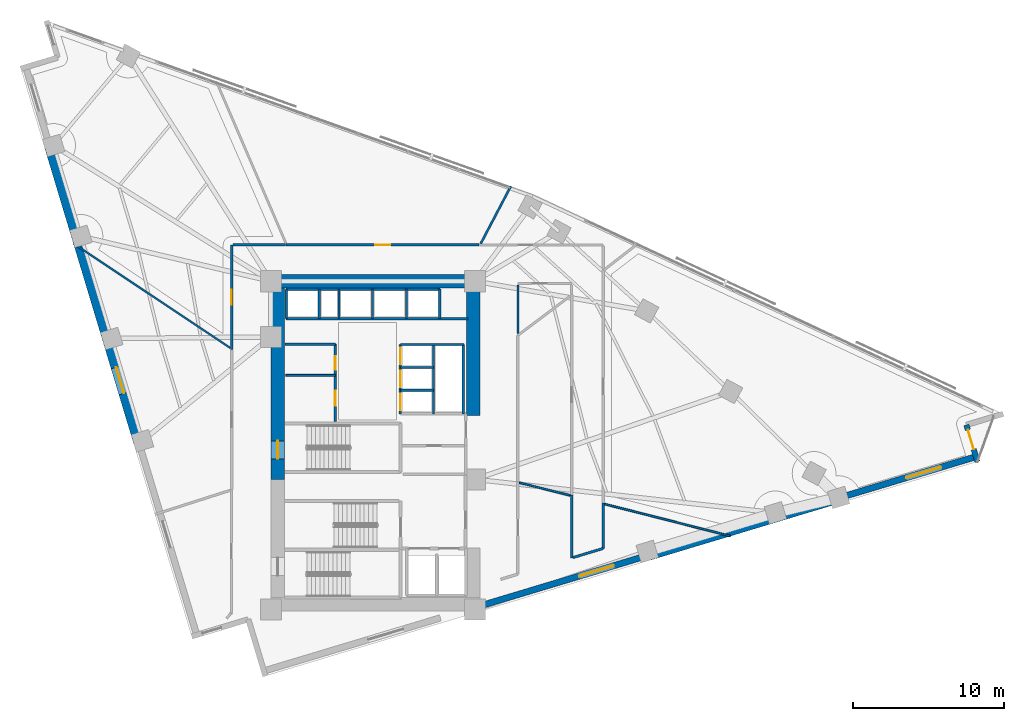
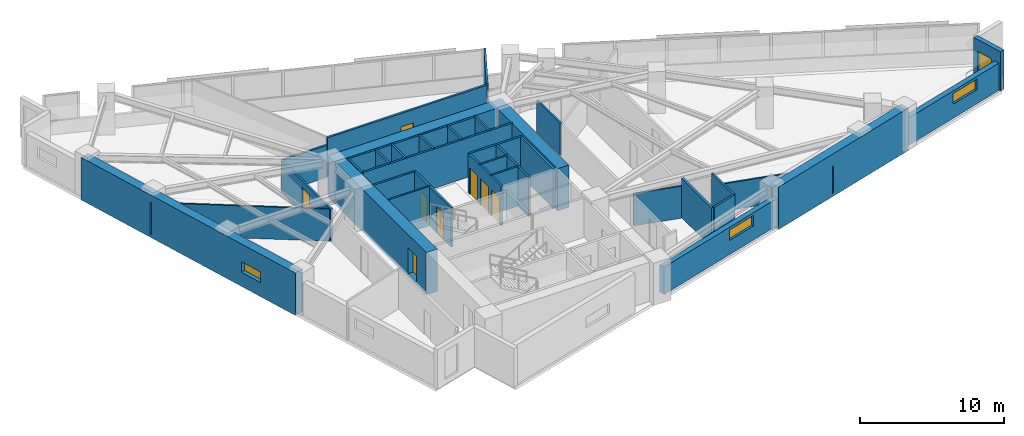
# One storey, part 11 of 14: 37 walls, 9 doors, 3 windows, 12 openings.
"""IFC4 building model written with IfcOpenShell, lengths in metres."""

from ifc_helpers import new_model, si_unit, direction, frame, frame_2d, origin, place, context, subcontext, project, spatial, rectangle, extrude, material, layer, layer_set, type_object, element, fill, save


model = new_model("IFC4")

# Units and contexts
model_context = context("Model", 3, precision=1e-05, world=origin(), true_north=direction((0.0, 1.0)))
body_context = subcontext(model_context, "Body", "Model", "MODEL_VIEW")
ifc_project = project(units=[si_unit("LENGTHUNIT", "METRE"), si_unit("AREAUNIT", "SQUARE_METRE"), si_unit("VOLUMEUNIT", "CUBIC_METRE"), si_unit("PLANEANGLEUNIT", "RADIAN"), si_unit("MASSUNIT", "GRAM", prefix="KILO")], contexts=[model_context])

# Site, building, storey
site_placement = place(None, origin())
site = spatial("IfcSite", under=ifc_project, at=site_placement, CompositionType="ELEMENT")
building_placement = place(site_placement, origin())
building = spatial("IfcBuilding", under=site, at=building_placement, Name="Narakoshi Arena Tower", CompositionType="ELEMENT")
storey_placement = place(building_placement, frame((0.0, 0.0, 135.89990234375)))
storey = spatial("IfcBuildingStorey", under=building, at=storey_placement, Name="L36", CompositionType="ELEMENT", Elevation=135.89990234375)

# Wall, opening, door
ifc_material_1 = material(Name="Concrete C60/75", Category="concrete")
ifc_layer_1 = layer(ifc_material_1, 0.89990234375)
ifc_layer_set_1 = layer_set([ifc_layer_1], Name="Concrete C60/75")
wall_type_1 = type_object("IfcWallType", Name="WL-CORE-900", PredefinedType="SHEAR", material=ifc_layer_set_1)
wall_1_placement = place(storey_placement, frame((72.449951171875, 43.35009765625, -0.260009765625), z_axis=(0.0, 0.0, 1.0), x_axis=(0.0, 1.0, 0.0)))
wall_1 = element("IfcWall", 1, at=wall_1_placement, inside=storey, type_object=wall_type_1, Name="L36 Main Core Shear Wall CW-MN-W", PredefinedType="SHEAR", context=body_context, shape_type="SweptSolid", body=[
    extrude(rectangle(XDim=12.699951171875, YDim=0.89990234375, at=frame_2d((6.35009765625, 0.0))), origin(), (0.0, 0.0, 1.0), 3.60009765625),
])
opening_1_placement = place(wall_1_placement, frame((1.35009765625, 0.0, 0.260009765625)))
opening_1 = element("IfcOpeningElement", 2, at=opening_1_placement, cuts=wall_1, Name="Opening D-03", PredefinedType="OPENING", context=body_context, shape_type="SweptSolid", body=[
    extrude(rectangle(XDim=1.199951171875, YDim=2.199951171875, at=frame_2d((0.60009765625, 1.10009765625))), frame((0.0, 0.4599609375, 0.0), z_axis=(0.0, -1.0, 0.0), x_axis=(1.0, 0.0, 0.0)), (0.0, 0.0, 1.0), 0.919921875),
])
ifc_material_2 = material(Name="Painted galvanized steel", Category="steel")
door_type_1 = type_object("IfcDoorType", Name="DR-STR-1200", OperationType="NOTDEFINED", PredefinedType="USERDEFINED", material=ifc_material_2)
door_1_placement = place(opening_1_placement, frame((1.199951171875, 0.0, 0.0), z_axis=(0.0, 0.0, 1.0), x_axis=(-1.0, 0.0, 0.0)))
door_1 = element("IfcDoor", 3, at=door_1_placement, inside=storey, type_object=door_type_1, Name="DR-L36-007", ObjectType="EXITDOOR", OperationType="SINGLE_SWING_LEFT", OverallHeight=2.199951171875, OverallWidth=1.199951171875, PredefinedType="USERDEFINED", context=body_context, shape_type="SweptSolid", body=[
    extrude(rectangle(XDim=1.199951171875, YDim=2.199951171875, at=frame_2d((0.60009765625, 1.10009765625))), frame((0.0, 0.02490234375, 0.0), z_axis=(0.0, -1.0, 0.0), x_axis=(1.0, 0.0, 0.0)), (0.0, 0.0, 1.0), 0.050048828125),
])
fill(opening_1, door_1)

# Walls
wall_2_placement = place(storey_placement, frame((72.0, 56.5, -0.260009765625), z_axis=(0.0, 0.0, 1.0), x_axis=(1.0, 0.0, 0.0)))
element("IfcWall", 4, at=wall_2_placement, inside=storey, type_object=wall_type_1, Name="L36 Main Core Shear Wall CW-MN-N", PredefinedType="SHEAR", context=body_context, shape_type="SweptSolid", body=[
    extrude(rectangle(XDim=13.89990234375, YDim=0.89990234375, at=frame_2d((6.949951171875, 0.0))), origin(), (0.0, 0.0, 1.0), 3.60009765625),
])
wall_3_placement = place(storey_placement, frame((85.449951171875, 47.60009765625, -0.260009765625), z_axis=(0.0, 0.0, 1.0), x_axis=(0.0, 1.0, 0.0)))
element("IfcWall", 5, at=wall_3_placement, inside=storey, type_object=wall_type_1, Name="L36 Main Core Shear Wall CW-MN-E", PredefinedType="SHEAR", context=body_context, shape_type="SweptSolid", body=[
    extrude(rectangle(XDim=8.449951171875, YDim=0.89990234375, at=frame_2d((4.22509765625, 0.0))), origin(), (0.0, 0.0, 1.0), 3.60009765625),
])
ifc_material_3 = material(Name="Gypsum plasterboard fire-rated partition")
ifc_layer_2 = layer(ifc_material_3, 0.1650390625)
ifc_layer_set_2 = layer_set([ifc_layer_2], Name="Gypsum plasterboard fire-rated partition")
wall_type_2 = type_object("IfcWallType", Name="WL-CORR-165", PredefinedType="PARTITIONING", material=ifc_layer_set_2)
wall_4_placement = place(storey_placement, frame((91.961181640625, 42.2939453125, 0.0), z_axis=(0.0, 0.0, 1.0), x_axis=(0.0, -1.0, 0.0)))
element("IfcWall", 6, at=wall_4_placement, inside=storey, type_object=wall_type_2, Name="L36 Corridor Partition 02-2", PredefinedType="PARTITIONING", context=body_context, shape_type="SweptSolid", body=[
    extrude(rectangle(XDim=4.1650390625, YDim=0.1650390625, at=frame_2d((2.08251953125, 0.0))), origin(), (0.0, 0.0, 1.0), 3.340087890625),
])
wall_5_placement = place(storey_placement, frame((94.061279296875, 38.760986328125, 0.0), z_axis=(0.0, 0.0, 1.0), x_axis=(0.0, 1.0, 0.0)))
element("IfcWall", 7, at=wall_5_placement, inside=storey, type_object=wall_type_2, Name="L36 Corridor Partition 02-3", PredefinedType="PARTITIONING", context=body_context, shape_type="SweptSolid", body=[
    extrude(rectangle(XDim=3.00732421875, YDim=0.1650390625, at=frame_2d((1.503662109375, 0.0))), origin(), (0.0, 0.0, 1.0), 3.340087890625),
])
wall_6_placement = place(storey_placement, frame((92.055908203125, 38.157470703125, 0.0), z_axis=(0.0, 0.0, 1.0), x_axis=(0.957575652527, 0.288182007919, 0.0)))
element("IfcWall", 8, at=wall_6_placement, inside=storey, type_object=wall_type_2, Name="L36 Corridor Partition 02-4", PredefinedType="PARTITIONING", context=body_context, shape_type="SweptSolid", body=[
    extrude(rectangle(XDim=2.09423828125, YDim=0.1650390625, at=frame_2d((1.047119140625, 0.0))), origin(), (0.0, 0.0, 1.0), 3.340087890625),
])

# Wall, opening, door
wall_7_placement = place(storey_placement, frame((85.818359375, 58.908935546875, 0.0), z_axis=(0.0, 0.0, 1.0), x_axis=(-1.0, 0.0, 0.0)))
wall_7 = element("IfcWall", 9, at=wall_7_placement, inside=storey, type_object=wall_type_2, Name="L36 Corridor Partition 07-1", PredefinedType="PARTITIONING", context=body_context, shape_type="SweptSolid", body=[
    extrude(rectangle(XDim=12.805908203125, YDim=0.1650390625, at=frame_2d((6.40283203125, 0.0))), origin(), (0.0, 0.0, 1.0), 3.340087890625),
])
opening_2_placement = place(wall_7_placement, frame((5.90283203125, 0.0, 0.0)))
opening_2 = element("IfcOpeningElement", 10, at=opening_2_placement, cuts=wall_7, Name="Opening D-06", PredefinedType="OPENING", context=body_context, shape_type="SweptSolid", body=[
    extrude(rectangle(XDim=1.0, YDim=2.199951171875, at=frame_2d((0.5, 1.10009765625))), frame((0.0, 0.092529296875, 0.0), z_axis=(0.0, -1.0, 0.0), x_axis=(1.0, 0.0, 0.0)), (0.0, 0.0, 1.0), 0.18505859375),
])
ifc_material_4 = material(Name="Stained oak solid-core timber", Category="wood")
door_type_2 = type_object("IfcDoorType", Name="DR-OFF-1000", OperationType="NOTDEFINED", PredefinedType="DOOR", material=ifc_material_4)
door_2_placement = place(opening_2_placement, frame((1.0, 0.0, 0.0), z_axis=(0.0, 0.0, 1.0), x_axis=(-1.0, 0.0, 0.0)))
door_2 = element("IfcDoor", 11, at=door_2_placement, inside=storey, type_object=door_type_2, Name="DR-L36-021", OperationType="SINGLE_SWING_RIGHT", OverallHeight=2.199951171875, OverallWidth=1.0, PredefinedType="DOOR", context=body_context, shape_type="SweptSolid", body=[
    extrude(rectangle(XDim=1.0, YDim=2.199951171875, at=frame_2d((0.5, 1.10009765625))), frame((0.0, 0.02490234375, 0.0), z_axis=(0.0, -1.0, 0.0), x_axis=(1.0, 0.0, 0.0)), (0.0, 0.0, 1.0), 0.050048828125),
])
fill(opening_2, door_2)

wall_8_placement = place(storey_placement, frame((69.388916015625, 58.908935546875, 0.0), z_axis=(0.0, 0.0, 1.0), x_axis=(0.0, -1.0, 0.0)))
wall_8 = element("IfcWall", 12, at=wall_8_placement, inside=storey, type_object=wall_type_2, Name="L36 Corridor Partition 08-1", PredefinedType="PARTITIONING", context=body_context, shape_type="SweptSolid", body=[
    extrude(rectangle(XDim=6.9345703125, YDim=0.1650390625, at=frame_2d((3.46728515625, 0.0))), origin(), (0.0, 0.0, 1.0), 2.72509765625),
])
opening_3_placement = place(wall_8_placement, frame((2.96728515625, 0.0, 0.0)))
opening_3 = element("IfcOpeningElement", 13, at=opening_3_placement, cuts=wall_8, Name="Opening D-06", PredefinedType="OPENING", context=body_context, shape_type="SweptSolid", body=[
    extrude(rectangle(XDim=1.0, YDim=2.199951171875, at=frame_2d((0.5, 1.10009765625))), frame((0.0, 0.092529296875, 0.0), z_axis=(0.0, -1.0, 0.0), x_axis=(1.0, 0.0, 0.0)), (0.0, 0.0, 1.0), 0.18505859375),
])
door_3_placement = place(opening_3_placement, frame((1.0, 0.0, 0.0), z_axis=(0.0, 0.0, 1.0), x_axis=(-1.0, 0.0, 0.0)))
door_3 = element("IfcDoor", 14, at=door_3_placement, inside=storey, type_object=door_type_2, Name="DR-L36-022", OperationType="SINGLE_SWING_LEFT", OverallHeight=2.199951171875, OverallWidth=1.0, PredefinedType="DOOR", context=body_context, shape_type="SweptSolid", body=[
    extrude(rectangle(XDim=1.0, YDim=2.199951171875, at=frame_2d((0.5, 1.10009765625))), frame((0.0, 0.02490234375, 0.0), z_axis=(0.0, -1.0, 0.0), x_axis=(1.0, 0.0, 0.0)), (0.0, 0.0, 1.0), 0.050048828125),
])
fill(opening_3, door_3)

# Walls
wall_9_placement = place(storey_placement, frame((72.986083984375, 58.908935546875, 0.0), z_axis=(0.0, 0.0, 1.0), x_axis=(-1.0, 0.0, 0.0)))
element("IfcWall", 15, at=wall_9_placement, inside=storey, type_object=wall_type_2, Name="L36 Corridor Partition 08-2", PredefinedType="PARTITIONING", context=body_context, shape_type="SweptSolid", body=[
    extrude(rectangle(XDim=3.502685546875, YDim=0.1650390625, at=frame_2d((1.75146484375, 0.0))), origin(), (0.0, 0.0, 1.0), 2.72509765625),
])
ifc_layer_3 = layer(ifc_material_1, 0.699951171875)
ifc_layer_set_3 = layer_set([ifc_layer_3], Name="Concrete C60/75")
wall_type_3 = type_object("IfcWallType", Name="WL-LEG-700", PredefinedType="SHEAR", material=ifc_layer_set_3)
wall_10_placement = place(storey_placement, frame((97.062255859375, 38.306640625, -0.260009765625), z_axis=(0.0, 0.0, 1.0), x_axis=(0.957569832102, 0.288201347408, 0.0)))
element("IfcWall", 16, at=wall_10_placement, inside=storey, type_object=wall_type_3, Name="L36 Architectural Concrete Structural Wall LEGA-3", PredefinedType="SHEAR", context=body_context, shape_type="SweptSolid", body=[
    extrude(rectangle(XDim=13.198974609375, YDim=0.699951171875, at=frame_2d((6.599609375, 0.0))), origin(), (0.0, 0.0, 1.0), 3.60009765625),
])

# Wall, opening, window
wall_11_placement = place(storey_placement, frame((57.322509765625, 65.434326171875, -0.260009765625), z_axis=(0.0, 0.0, 1.0), x_axis=(0.288188159352, -0.957573801234, 0.0)))
wall_11 = element("IfcWall", 17, at=wall_11_placement, inside=storey, type_object=wall_type_3, Name="L36 Architectural Concrete Structural Wall LEGB-2", PredefinedType="SHEAR", context=body_context, shape_type="SweptSolid", body=[
    extrude(rectangle(XDim=20.468994140625, YDim=0.699951171875, at=frame_2d((10.234375, 0.0))), origin(), (0.0, 0.0, 1.0), 3.60009765625),
])
opening_4_placement = place(wall_11_placement, frame((15.300048828125, 0.0, 1.199951171875)))
opening_4 = element("IfcOpeningElement", 18, at=opening_4_placement, cuts=wall_11, Name="Opening WN-02", PredefinedType="OPENING", context=body_context, shape_type="SweptSolid", body=[
    extrude(rectangle(XDim=1.800048828125, YDim=0.89990234375, at=frame_2d((0.89990234375, 0.449951171875))), frame((0.0, 0.35986328125, 0.0), z_axis=(0.0, -1.0, 0.0), x_axis=(1.0, 0.0, 0.0)), (0.0, 0.0, 1.0), 0.719970703125),
])
ifc_material_5 = material(Name="Bronze-tinted low-E laminated glass", Category="glass")
window_type_1 = type_object("IfcWindowType", Name="WIN-SLT-18x09", PartitioningType="SINGLE_PANEL", PredefinedType="WINDOW", material=ifc_material_5)
window_1_placement = place(opening_4_placement, origin())
window_1 = element("IfcWindow", 19, at=window_1_placement, inside=storey, type_object=window_type_1, Name="L36 LEGB2 Horizontal Slot Window 1", OverallHeight=0.89990234375, OverallWidth=1.800048828125, PartitioningType="SINGLE_PANEL", PredefinedType="WINDOW", context=body_context, shape_type="SweptSolid", body=[
    extrude(rectangle(XDim=1.800048828125, YDim=0.89990234375, at=frame_2d((0.89990234375, 0.449951171875))), frame((0.0, 0.030029296875, 0.0), z_axis=(0.0, -1.0, 0.0), x_axis=(1.0, 0.0, 0.0)), (0.0, 0.0, 1.0), 0.06005859375),
])
fill(opening_4, window_1)

# Walls
ifc_layer_4 = layer(ifc_material_3, 0.125)
ifc_layer_set_4 = layer_set([ifc_layer_4], Name="Gypsum plasterboard fire-rated partition")
wall_type_4 = type_object("IfcWallType", Name="WL-PART-125", PredefinedType="PARTITIONING", material=ifc_layer_set_4)
wall_12_placement = place(storey_placement, frame((73.0, 50.25, 0.0), z_axis=(0.0, 0.0, 1.0), x_axis=(1.0, 0.0, 0.0)))
element("IfcWall", 20, at=wall_12_placement, inside=storey, type_object=wall_type_4, Name="L36 Core Wall RCL-LR-D2", PredefinedType="PARTITIONING", context=body_context, shape_type="SweptSolid", body=[
    extrude(rectangle(XDim=3.280029296875, YDim=0.125, at=frame_2d((1.64013671875, 0.0))), origin(), (0.0, 0.0, 1.0), 3.340087890625),
])
wall_13_placement = place(storey_placement, frame((94.15576171875, 41.707275390625, 0.0), z_axis=(0.0, 0.0, 1.0), x_axis=(0.969165666748, -0.246410045243, 0.0)))
element("IfcWall", 21, at=wall_13_placement, inside=storey, type_object=wall_type_4, Name="L36 Inter-Room Partition 02-03", PredefinedType="PARTITIONING", context=body_context, shape_type="SweptSolid", body=[
    extrude(rectangle(XDim=8.624755859375, YDim=0.125, at=frame_2d((4.3125, 0.0))), origin(), (0.0, 0.0, 1.0), 2.3251953125),
])
wall_14_placement = place(storey_placement, frame((88.494384765625, 43.12451171875, 0.0), z_axis=(0.0, 0.0, 1.0), x_axis=(0.970212698563, -0.242254658463, 0.0)))
element("IfcWall", 22, at=wall_14_placement, inside=storey, type_object=wall_type_4, Name="L36 Inter-Room Partition 02-04", PredefinedType="PARTITIONING", context=body_context, shape_type="SweptSolid", body=[
    extrude(rectangle(XDim=3.475830078125, YDim=0.125, at=frame_2d((1.73779296875, 0.0))), origin(), (0.0, 0.0, 1.0), 2.72509765625),
])
wall_15_placement = place(storey_placement, frame((69.294189453125, 52.080810546875, 0.0), z_axis=(0.0, 0.0, 1.0), x_axis=(-0.832263553601, 0.554380174021, 0.0)))
element("IfcWall", 23, at=wall_15_placement, inside=storey, type_object=wall_type_4, Name="L36 Inter-Room Partition 08-09", PredefinedType="PARTITIONING", context=body_context, shape_type="SweptSolid", body=[
    extrude(rectangle(XDim=12.501220703125, YDim=0.125, at=frame_2d((6.25048828125, 0.0))), origin(), (0.0, 0.0, 1.0), 2.72509765625),
])

# Wall, opening, window
ifc_material_6 = material(Name="Precast concrete C45/55", Category="concrete")
ifc_layer_5 = layer(ifc_material_6, 0.419921875)
ifc_layer_set_5 = layer_set([ifc_layer_5], Name="Precast concrete C45/55")
wall_type_5 = type_object("IfcWallType", Name="WL-POD-420", PredefinedType="SOLIDWALL", material=ifc_layer_set_5)
wall_16_placement = place(storey_placement, frame((86.10009765625, 35.00732421875, 0.0), z_axis=(0.0, 0.0, 1.0), x_axis=(0.957569401796, 0.288202777129, 0.0)))
wall_16 = element("IfcWall", 24, at=wall_16_placement, inside=storey, type_object=wall_type_5, Name="L36 Architectural Concrete Facade Wall LEGA-2", PredefinedType="SOLIDWALL", context=body_context, shape_type="SweptSolid", body=[
    extrude(rectangle(XDim=11.447998046875, YDim=0.419921875, at=frame_2d((5.72412109375, 0.0))), origin(), (0.0, 0.0, 1.0), 2.3251953125),
])
opening_5_placement = place(wall_16_placement, frame((6.652099609375, 0.0, 1.199951171875)))
opening_5 = element("IfcOpeningElement", 25, at=opening_5_placement, cuts=wall_16, Name="Opening WN-01", PredefinedType="OPENING", context=body_context, shape_type="SweptSolid", body=[
    extrude(rectangle(XDim=2.39990234375, YDim=0.89990234375, at=frame_2d((1.199951171875, 0.449951171875))), frame((0.0, 0.219970703125, 0.0), z_axis=(0.0, -1.0, 0.0), x_axis=(1.0, 0.0, 0.0)), (0.0, 0.0, 1.0), 0.43994140625),
])
window_type_2 = type_object("IfcWindowType", Name="WIN-SLT-24x09", PartitioningType="SINGLE_PANEL", PredefinedType="WINDOW", material=ifc_material_5)
window_2_placement = place(opening_5_placement, origin())
window_2 = element("IfcWindow", 26, at=window_2_placement, inside=storey, type_object=window_type_2, Name="L36 LEGA2 Horizontal Slot Window 1", OverallHeight=0.89990234375, OverallWidth=2.39990234375, PartitioningType="SINGLE_PANEL", PredefinedType="WINDOW", context=body_context, shape_type="SweptSolid", body=[
    extrude(rectangle(XDim=2.39990234375, YDim=0.89990234375, at=frame_2d((1.199951171875, 0.449951171875))), frame((0.0, 0.030029296875, 0.0), z_axis=(0.0, -1.0, 0.0), x_axis=(1.0, 0.0, 0.0)), (0.0, 0.0, 1.0), 0.06005859375),
])
fill(opening_5, window_2)

wall_17_placement = place(storey_placement, frame((109.701171875, 42.110595703125, 0.0), z_axis=(0.0, 0.0, 1.0), x_axis=(0.957575807765, 0.288181492091, 0.0)))
wall_17 = element("IfcWall", 27, at=wall_17_placement, inside=storey, type_object=wall_type_5, Name="L36 Architectural Concrete Facade Wall LEGA-4", PredefinedType="SOLIDWALL", context=body_context, shape_type="SweptSolid", body=[
    extrude(rectangle(XDim=9.510498046875, YDim=0.419921875, at=frame_2d((4.75537109375, 0.0))), origin(), (0.0, 0.0, 1.0), 2.3251953125),
])
opening_6_placement = place(wall_17_placement, frame((4.679443359375, 0.0, 1.199951171875)))
opening_6 = element("IfcOpeningElement", 28, at=opening_6_placement, cuts=wall_17, Name="Opening WN-01", PredefinedType="OPENING", context=body_context, shape_type="SweptSolid", body=[
    extrude(rectangle(XDim=2.39990234375, YDim=0.89990234375, at=frame_2d((1.199951171875, 0.449951171875))), frame((0.0, 0.219970703125, 0.0), z_axis=(0.0, -1.0, 0.0), x_axis=(1.0, 0.0, 0.0)), (0.0, 0.0, 1.0), 0.43994140625),
])
window_3_placement = place(opening_6_placement, origin())
window_3 = element("IfcWindow", 29, at=window_3_placement, inside=storey, type_object=window_type_2, Name="L36 LEGA4 Horizontal Slot Window 1", OverallHeight=0.89990234375, OverallWidth=2.39990234375, PartitioningType="SINGLE_PANEL", PredefinedType="WINDOW", context=body_context, shape_type="SweptSolid", body=[
    extrude(rectangle(XDim=2.39990234375, YDim=0.89990234375, at=frame_2d((1.199951171875, 0.449951171875))), frame((0.0, 0.030029296875, 0.0), z_axis=(0.0, -1.0, 0.0), x_axis=(1.0, 0.0, 0.0)), (0.0, 0.0, 1.0), 0.06005859375),
])
fill(opening_6, window_3)

# Wall, opening, door
wall_18_placement = place(storey_placement, frame((118.908935546875, 44.51611328125, 0.0), z_axis=(0.0, 0.0, 1.0), x_axis=(-0.288172590882, 0.95757848653, 0.0)))
wall_18 = element("IfcWall", 30, at=wall_18_placement, inside=storey, type_object=wall_type_5, Name="L36 Re-Entrant Corner Notch Wall NTE-1", PredefinedType="SOLIDWALL", context=body_context, shape_type="SweptSolid", body=[
    extrude(rectangle(XDim=2.552734375, YDim=0.360107421875, at=frame_2d((1.2763671875, 0.0))), origin(), (0.0, 0.0, 1.0), 3.340087890625),
])
opening_7_placement = place(wall_18_placement, frame((0.862548828125, 0.0, 0.0)))
opening_7 = element("IfcOpeningElement", 31, at=opening_7_placement, cuts=wall_18, Name="Opening D-12", PredefinedType="OPENING", context=body_context, shape_type="SweptSolid", body=[
    extrude(rectangle(XDim=1.35009765625, YDim=2.35009765625, at=frame_2d((0.675048828125, 1.175048828125))), frame((0.0, 0.18994140625, 0.0), z_axis=(0.0, -1.0, 0.0), x_axis=(1.0, 0.0, 0.0)), (0.0, 0.0, 1.0), 0.380126953125),
])
ifc_material_7 = material(Name="Anodised bronze aluminium 6063-T6", Category="aluminium")
door_type_3 = type_object("IfcDoorType", Name="DR-LOG-1350", OperationType="DOUBLE_DOOR_SLIDING", PredefinedType="DOOR", material=ifc_material_7)
door_4_placement = place(opening_7_placement, origin())
door_4 = element("IfcDoor", 32, at=door_4_placement, inside=storey, type_object=door_type_3, Name="DR-L36-001", OperationType="DOUBLE_DOOR_SLIDING", OverallHeight=2.35009765625, OverallWidth=1.35009765625, PredefinedType="DOOR", context=body_context, shape_type="SweptSolid", body=[
    extrude(rectangle(XDim=1.35009765625, YDim=2.35009765625, at=frame_2d((0.675048828125, 1.175048828125))), frame((0.0, 0.02490234375, 0.0), z_axis=(0.0, -1.0, 0.0), x_axis=(1.0, 0.0, 0.0)), (0.0, 0.0, 1.0), 0.050048828125),
])
fill(opening_7, door_4)

# Walls
ifc_material_8 = material(Name="Concrete C40/50", Category="concrete")
ifc_layer_6 = layer(ifc_material_8, 0.280029296875)
ifc_layer_set_6 = layer_set([ifc_layer_6], Name="Concrete C40/50")
wall_type_6 = type_object("IfcWallType", Name="WL-RISER-280", PredefinedType="PLUMBINGWALL", material=ifc_layer_set_6)
for number, where, z_axis, x_axis, name in (
    (33, (80.60009765625, 49.260009765625, 0.0), (0.0, 0.0, 1.0), (1.0, 0.0, 0.0), "L36 Core Wall MR-D1"),
    (34, (80.60009765625, 50.780029296875, 0.0), (0.0, 0.0, 1.0), (1.0, 0.0, 0.0), "L36 Core Wall MR-D2"),
):
    element("IfcWall", number, at=place(storey_placement, frame(where, z_axis=z_axis, x_axis=x_axis)), inside=storey, type_object=wall_type_6, Name=name, PredefinedType="PLUMBINGWALL", context=body_context, shape_type="SweptSolid", body=[
        extrude(rectangle(XDim=2.199951171875, YDim=0.14990234375, at=frame_2d((1.10009765625, 0.0))), origin(), (0.0, 0.0, 1.0), 3.340087890625),
    ])
wall_19_placement = place(storey_placement, frame((82.800048828125, 47.699951171875, 0.0), z_axis=(0.0, 0.0, 1.0), x_axis=(0.0, 1.0, 0.0)))
element("IfcWall", 35, at=wall_19_placement, inside=storey, type_object=wall_type_6, Name="L36 Core Wall MR-E", PredefinedType="PLUMBINGWALL", context=body_context, shape_type="SweptSolid", body=[
    extrude(rectangle(XDim=4.60009765625, YDim=0.14990234375, at=frame_2d((2.300048828125, 0.0))), origin(), (0.0, 0.0, 1.0), 3.340087890625),
])
for number, where, z_axis, x_axis, name in (
    (36, (73.02001953125, 54.02001953125, 0.0), (0.0, 0.0, 1.0), (0.0, 1.0, 0.0), "L36 Core Wall OBS-W"),
    (37, (75.219970703125, 54.02001953125, 0.0), (0.0, 0.0, 1.0), (0.0, 1.0, 0.0), "L36 Core Wall OBS-M"),
):
    element("IfcWall", number, at=place(storey_placement, frame(where, z_axis=z_axis, x_axis=x_axis)), inside=storey, type_object=wall_type_6, Name=name, PredefinedType="PLUMBINGWALL", context=body_context, shape_type="SweptSolid", body=[
        extrude(rectangle(XDim=1.93994140625, YDim=0.14990234375, at=frame_2d((0.969970703125, 0.0))), origin(), (0.0, 0.0, 1.0), 3.340087890625),
    ])
for number, where, z_axis, x_axis, name in (
    (38, (78.75, 54.02001953125, 0.0), (0.0, 0.0, 1.0), (0.0, 1.0, 0.0), "L36 Core Wall HR-D1"),
    (39, (81.0, 54.02001953125, 0.0), (0.0, 0.0, 1.0), (0.0, 1.0, 0.0), "L36 Core Wall HR-D2"),
):
    element("IfcWall", number, at=place(storey_placement, frame(where, z_axis=z_axis, x_axis=x_axis)), inside=storey, type_object=wall_type_6, Name=name, PredefinedType="PLUMBINGWALL", context=body_context, shape_type="SweptSolid", body=[
        extrude(rectangle(XDim=1.9599609375, YDim=0.14990234375, at=frame_2d((0.97998046875, 0.0))), origin(), (0.0, 0.0, 1.0), 3.340087890625),
    ])

# Wall, openings, doors
ifc_material_9 = material(Name="Concrete C50/60", Category="concrete")
ifc_layer_7 = layer(ifc_material_9, 0.35009765625)
ifc_layer_set_7 = layer_set([ifc_layer_7], Name="Concrete C50/60")
wall_type_7 = type_object("IfcWallType", Name="WL-SHAFT-350", PredefinedType="SOLIDWALL", material=ifc_layer_set_7)
wall_20_placement = place(storey_placement, frame((76.280029296875, 47.179931640625, 0.0), z_axis=(0.0, 0.0, 1.0), x_axis=(0.0, 1.0, 0.0)))
wall_20 = element("IfcWall", 40, at=wall_20_placement, inside=storey, type_object=wall_type_7, Name="L36 Core Wall LR-E", PredefinedType="SOLIDWALL", context=body_context, shape_type="SweptSolid", body=[
    extrude(rectangle(XDim=5.14013671875, YDim=0.159912109375, at=frame_2d((2.570068359375, 0.0))), origin(), (0.0, 0.0, 1.0), 3.340087890625),
])
opening_8_placement = place(wall_20_placement, frame((1.050048828125, 0.0, 0.0)))
opening_8 = element("IfcOpeningElement", 41, at=opening_8_placement, cuts=wall_20, Name="Opening D-06", PredefinedType="OPENING", context=body_context, shape_type="SweptSolid", body=[
    extrude(rectangle(XDim=1.0, YDim=2.199951171875, at=frame_2d((0.5, 1.10009765625))), frame((0.0, 0.08984375, 0.0), z_axis=(0.0, -1.0, 0.0), x_axis=(1.0, 0.0, 0.0)), (0.0, 0.0, 1.0), 0.179931640625),
])
opening_9_placement = place(wall_20_placement, frame((3.449951171875, 0.0, 0.0)))
opening_9 = element("IfcOpeningElement", 42, at=opening_9_placement, cuts=wall_20, Name="Opening D-08", PredefinedType="OPENING", context=body_context, shape_type="SweptSolid", body=[
    extrude(rectangle(XDim=0.89990234375, YDim=2.10009765625, at=frame_2d((0.449951171875, 1.050048828125))), frame((0.0, 0.08984375, 0.0), z_axis=(0.0, -1.0, 0.0), x_axis=(1.0, 0.0, 0.0)), (0.0, 0.0, 1.0), 0.179931640625),
])
door_5_placement = place(opening_8_placement, frame((1.0, 0.0, 0.0), z_axis=(0.0, 0.0, 1.0), x_axis=(-1.0, 0.0, 0.0)))
door_5 = element("IfcDoor", 43, at=door_5_placement, inside=storey, type_object=door_type_2, Name="DR-L36-010", OperationType="SINGLE_SWING_RIGHT", OverallHeight=2.199951171875, OverallWidth=1.0, PredefinedType="DOOR", context=body_context, shape_type="SweptSolid", body=[
    extrude(rectangle(XDim=1.0, YDim=2.199951171875, at=frame_2d((0.5, 1.10009765625))), frame((0.0, 0.02490234375, 0.0), z_axis=(0.0, -1.0, 0.0), x_axis=(1.0, 0.0, 0.0)), (0.0, 0.0, 1.0), 0.050048828125),
])
fill(opening_8, door_5)
ifc_material_10 = material(Name="Moisture-resistant laminate timber", Category="wood")
door_type_4 = type_object("IfcDoorType", Name="DR-WC-900", OperationType="NOTDEFINED", PredefinedType="DOOR", material=ifc_material_10)
door_6_placement = place(opening_9_placement, frame((0.89990234375, 0.0, 0.0), z_axis=(0.0, 0.0, 1.0), x_axis=(-1.0, 0.0, 0.0)))
door_6 = element("IfcDoor", 44, at=door_6_placement, inside=storey, type_object=door_type_4, Name="DR-L36-011", OperationType="SINGLE_SWING_LEFT", OverallHeight=2.10009765625, OverallWidth=0.89990234375, PredefinedType="DOOR", context=body_context, shape_type="SweptSolid", body=[
    extrude(rectangle(XDim=0.89990234375, YDim=2.10009765625, at=frame_2d((0.449951171875, 1.050048828125))), frame((0.0, 0.02490234375, 0.0), z_axis=(0.0, -1.0, 0.0), x_axis=(1.0, 0.0, 0.0)), (0.0, 0.0, 1.0), 0.050048828125),
])
fill(opening_9, door_6)

# Wall
wall_21_placement = place(storey_placement, frame((72.949951171875, 52.320068359375, 0.0), z_axis=(0.0, 0.0, 1.0), x_axis=(1.0, 0.0, 0.0)))
element("IfcWall", 45, at=wall_21_placement, inside=storey, type_object=wall_type_7, Name="L36 Core Wall LR-N", PredefinedType="SOLIDWALL", context=body_context, shape_type="SweptSolid", body=[
    extrude(rectangle(XDim=3.330078125, YDim=0.14990234375, at=frame_2d((1.6650390625, 0.0))), origin(), (0.0, 0.0, 1.0), 3.340087890625),
])

# Wall, openings, doors
wall_22_placement = place(storey_placement, frame((80.60009765625, 47.699951171875, 0.0), z_axis=(0.0, 0.0, 1.0), x_axis=(0.0, 1.0, 0.0)))
wall_22 = element("IfcWall", 46, at=wall_22_placement, inside=storey, type_object=wall_type_7, Name="L36 Core Wall MR-W", PredefinedType="SOLIDWALL", context=body_context, shape_type="SweptSolid", body=[
    extrude(rectangle(XDim=4.60009765625, YDim=0.159912109375, at=frame_2d((2.300048828125, 0.0))), origin(), (0.0, 0.0, 1.0), 3.340087890625),
])
opening_10_placement = place(wall_22_placement, frame((0.239990234375, 0.0, 0.0)))
opening_10 = element("IfcOpeningElement", 47, at=opening_10_placement, cuts=wall_22, Name="Opening LD-01", PredefinedType="OPENING", context=body_context, shape_type="SweptSolid", body=[
    extrude(rectangle(XDim=1.10009765625, YDim=2.25, at=frame_2d((0.550048828125, 1.125))), frame((0.0, 0.08984375, 0.0), z_axis=(0.0, -1.0, 0.0), x_axis=(1.0, 0.0, 0.0)), (0.0, 0.0, 1.0), 0.179931640625),
])
opening_11_placement = place(wall_22_placement, frame((1.760009765625, 0.0, 0.0)))
opening_11 = element("IfcOpeningElement", 48, at=opening_11_placement, cuts=wall_22, Name="Opening LD-01", PredefinedType="OPENING", context=body_context, shape_type="SweptSolid", body=[
    extrude(rectangle(XDim=1.10009765625, YDim=2.25, at=frame_2d((0.550048828125, 1.125))), frame((0.0, 0.08984375, 0.0), z_axis=(0.0, -1.0, 0.0), x_axis=(1.0, 0.0, 0.0)), (0.0, 0.0, 1.0), 0.179931640625),
])
opening_12_placement = place(wall_22_placement, frame((3.280029296875, 0.0, 0.0)))
opening_12 = element("IfcOpeningElement", 49, at=opening_12_placement, cuts=wall_22, Name="Opening LD-01", PredefinedType="OPENING", context=body_context, shape_type="SweptSolid", body=[
    extrude(rectangle(XDim=1.10009765625, YDim=2.25, at=frame_2d((0.550048828125, 1.125))), frame((0.0, 0.08984375, 0.0), z_axis=(0.0, -1.0, 0.0), x_axis=(1.0, 0.0, 0.0)), (0.0, 0.0, 1.0), 0.179931640625),
])
ifc_material_11 = material(Name="Brushed bronze stainless steel", Category="steel")
door_type_5 = type_object("IfcDoorType", Name="DR-LFT-1100", OperationType="DOUBLE_DOOR_SLIDING", PredefinedType="DOOR", material=ifc_material_11)
door_7_placement = place(opening_10_placement, frame((1.10009765625, 0.0, 0.0), z_axis=(0.0, 0.0, 1.0), x_axis=(-1.0, 0.0, 0.0)))
door_7 = element("IfcDoor", 50, at=door_7_placement, inside=storey, type_object=door_type_5, Name="DR-L36-012", OperationType="DOUBLE_DOOR_SLIDING", OverallHeight=2.25, OverallWidth=1.10009765625, PredefinedType="DOOR", context=body_context, shape_type="SweptSolid", body=[
    extrude(rectangle(XDim=1.10009765625, YDim=2.25, at=frame_2d((0.550048828125, 1.125))), frame((0.0, 0.02490234375, 0.0), z_axis=(0.0, -1.0, 0.0), x_axis=(1.0, 0.0, 0.0)), (0.0, 0.0, 1.0), 0.050048828125),
])
fill(opening_10, door_7)
door_8_placement = place(opening_11_placement, frame((1.10009765625, 0.0, 0.0), z_axis=(0.0, 0.0, 1.0), x_axis=(-1.0, 0.0, 0.0)))
door_8 = element("IfcDoor", 51, at=door_8_placement, inside=storey, type_object=door_type_5, Name="DR-L36-013", OperationType="DOUBLE_DOOR_SLIDING", OverallHeight=2.25, OverallWidth=1.10009765625, PredefinedType="DOOR", context=body_context, shape_type="SweptSolid", body=[
    extrude(rectangle(XDim=1.10009765625, YDim=2.25, at=frame_2d((0.550048828125, 1.125))), frame((0.0, 0.02490234375, 0.0), z_axis=(0.0, -1.0, 0.0), x_axis=(1.0, 0.0, 0.0)), (0.0, 0.0, 1.0), 0.050048828125),
])
fill(opening_11, door_8)
door_9_placement = place(opening_12_placement, frame((1.10009765625, 0.0, 0.0), z_axis=(0.0, 0.0, 1.0), x_axis=(-1.0, 0.0, 0.0)))
door_9 = element("IfcDoor", 52, at=door_9_placement, inside=storey, type_object=door_type_5, Name="DR-L36-014", OperationType="DOUBLE_DOOR_SLIDING", OverallHeight=2.25, OverallWidth=1.10009765625, PredefinedType="DOOR", context=body_context, shape_type="SweptSolid", body=[
    extrude(rectangle(XDim=1.10009765625, YDim=2.25, at=frame_2d((0.550048828125, 1.125))), frame((0.0, 0.02490234375, 0.0), z_axis=(0.0, -1.0, 0.0), x_axis=(1.0, 0.0, 0.0)), (0.0, 0.0, 1.0), 0.050048828125),
])
fill(opening_12, door_9)

# Walls
wall_23_placement = place(storey_placement, frame((80.60009765625, 52.300048828125, 0.0), z_axis=(0.0, 0.0, 1.0), x_axis=(1.0, 0.0, 0.0)))
element("IfcWall", 53, at=wall_23_placement, inside=storey, type_object=wall_type_7, Name="L36 Core Wall MR-N", PredefinedType="SOLIDWALL", context=body_context, shape_type="SweptSolid", body=[
    extrude(rectangle(XDim=4.219970703125, YDim=0.159912109375, at=frame_2d((2.10986328125, 0.0))), origin(), (0.0, 0.0, 1.0), 3.340087890625),
])
wall_24_placement = place(storey_placement, frame((84.780029296875, 47.699951171875, 0.0), z_axis=(0.0, 0.0, 1.0), x_axis=(0.0, 1.0, 0.0)))
element("IfcWall", 54, at=wall_24_placement, inside=storey, type_object=wall_type_7, Name="L36 Core Wall MR-E2", PredefinedType="SOLIDWALL", context=body_context, shape_type="SweptSolid", body=[
    extrude(rectangle(XDim=4.60009765625, YDim=0.159912109375, at=frame_2d((2.300048828125, 0.0))), origin(), (0.0, 0.0, 1.0), 3.340087890625),
])
wall_25_placement = place(storey_placement, frame((73.02001953125, 54.02001953125, 0.0), z_axis=(0.0, 0.0, 1.0), x_axis=(1.0, 0.0, 0.0)))
element("IfcWall", 55, at=wall_25_placement, inside=storey, type_object=wall_type_7, Name="L36 Core Wall NSHF-S", PredefinedType="SOLIDWALL", context=body_context, shape_type="SweptSolid", body=[
    extrude(rectangle(XDim=12.080078125, YDim=0.159912109375, at=frame_2d((6.0400390625, 0.0))), origin(), (0.0, 0.0, 1.0), 3.340087890625),
])
wall_26_placement = place(storey_placement, frame((73.02001953125, 55.9599609375, 0.0), z_axis=(0.0, 0.0, 1.0), x_axis=(1.0, 0.0, 0.0)))
element("IfcWall", 56, at=wall_26_placement, inside=storey, type_object=wall_type_7, Name="L36 Core Wall OBS-N", PredefinedType="SOLIDWALL", context=body_context, shape_type="SweptSolid", body=[
    extrude(rectangle(XDim=3.5, YDim=0.14990234375, at=frame_2d((1.75, 0.0))), origin(), (0.0, 0.0, 1.0), 3.340087890625),
])
wall_27_placement = place(storey_placement, frame((76.52001953125, 54.02001953125, 0.0), z_axis=(0.0, 0.0, 1.0), x_axis=(0.0, 1.0, 0.0)))
element("IfcWall", 57, at=wall_27_placement, inside=storey, type_object=wall_type_7, Name="L36 Core Wall OBS-E", PredefinedType="SOLIDWALL", context=body_context, shape_type="SweptSolid", body=[
    extrude(rectangle(XDim=1.93994140625, YDim=0.14990234375, at=frame_2d((0.969970703125, 0.0))), origin(), (0.0, 0.0, 1.0), 3.340087890625),
])
wall_28_placement = place(storey_placement, frame((83.219970703125, 54.02001953125, 0.0), z_axis=(0.0, 0.0, 1.0), x_axis=(0.0, 1.0, 0.0)))
element("IfcWall", 58, at=wall_28_placement, inside=storey, type_object=wall_type_7, Name="L36 Core Wall HR-E", PredefinedType="SOLIDWALL", context=body_context, shape_type="SweptSolid", body=[
    extrude(rectangle(XDim=1.9599609375, YDim=0.14990234375, at=frame_2d((0.97998046875, 0.0))), origin(), (0.0, 0.0, 1.0), 3.340087890625),
])
wall_29_placement = place(storey_placement, frame((76.52001953125, 55.9599609375, 0.0), z_axis=(0.0, 0.0, 1.0), x_axis=(1.0, 0.0, 0.0)))
element("IfcWall", 59, at=wall_29_placement, inside=storey, type_object=wall_type_7, Name="L36 Core Wall HR-N", PredefinedType="SOLIDWALL", context=body_context, shape_type="SweptSolid", body=[
    extrude(rectangle(XDim=6.699951171875, YDim=0.14990234375, at=frame_2d((3.35009765625, 0.0))), origin(), (0.0, 0.0, 1.0), 3.340087890625),
])
ifc_material_12 = material(Name="Moisture-resistant cement-board partition")
ifc_layer_8 = layer(ifc_material_12, 0.14501953125)
ifc_layer_set_8 = layer_set([ifc_layer_8], Name="Moisture-resistant cement-board partition")
wall_type_8 = type_object("IfcWallType", Name="WL-WET-145", PredefinedType="PARTITIONING", material=ifc_layer_set_8)
wall_30_placement = place(storey_placement, frame((88.39990234375, 53.01708984375, 0.0), z_axis=(0.0, 0.0, 1.0), x_axis=(0.0, 1.0, 0.0)))
element("IfcWall", 60, at=wall_30_placement, inside=storey, type_object=wall_type_8, Name="L36 Corridor Partition 05-2", PredefinedType="PARTITIONING", context=body_context, shape_type="SweptSolid", body=[
    extrude(rectangle(XDim=3.248291015625, YDim=0.14501953125, at=frame_2d((1.6240234375, 0.0))), origin(), (0.0, 0.0, 1.0), 2.72509765625),
])
wall_31_placement = place(storey_placement, frame((85.930419921875, 58.993408203125, 0.0), z_axis=(0.0, 0.0, 1.0), x_axis=(0.464726248664, 0.885454410912, 0.0)))
element("IfcWall", 61, at=wall_31_placement, inside=storey, type_object=wall_type_8, Name="L36 Inter-Room Partition 06-07", PredefinedType="PARTITIONING", context=body_context, shape_type="SweptSolid", body=[
    extrude(rectangle(XDim=4.3115234375, YDim=0.14501953125, at=frame_2d((2.15576171875, 0.0))), origin(), (0.0, 0.0, 1.0), 3.340087890625),
])

save(model, "model.ifc")
